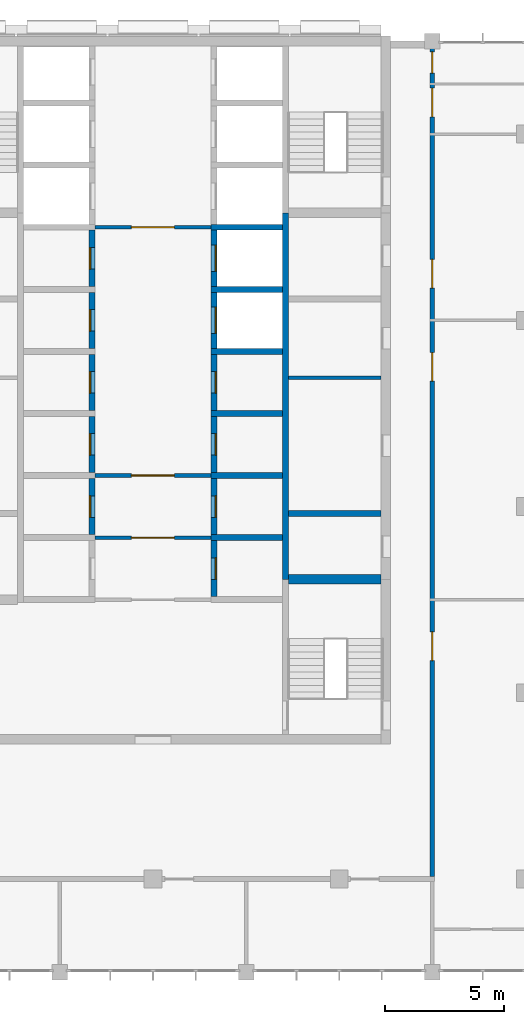
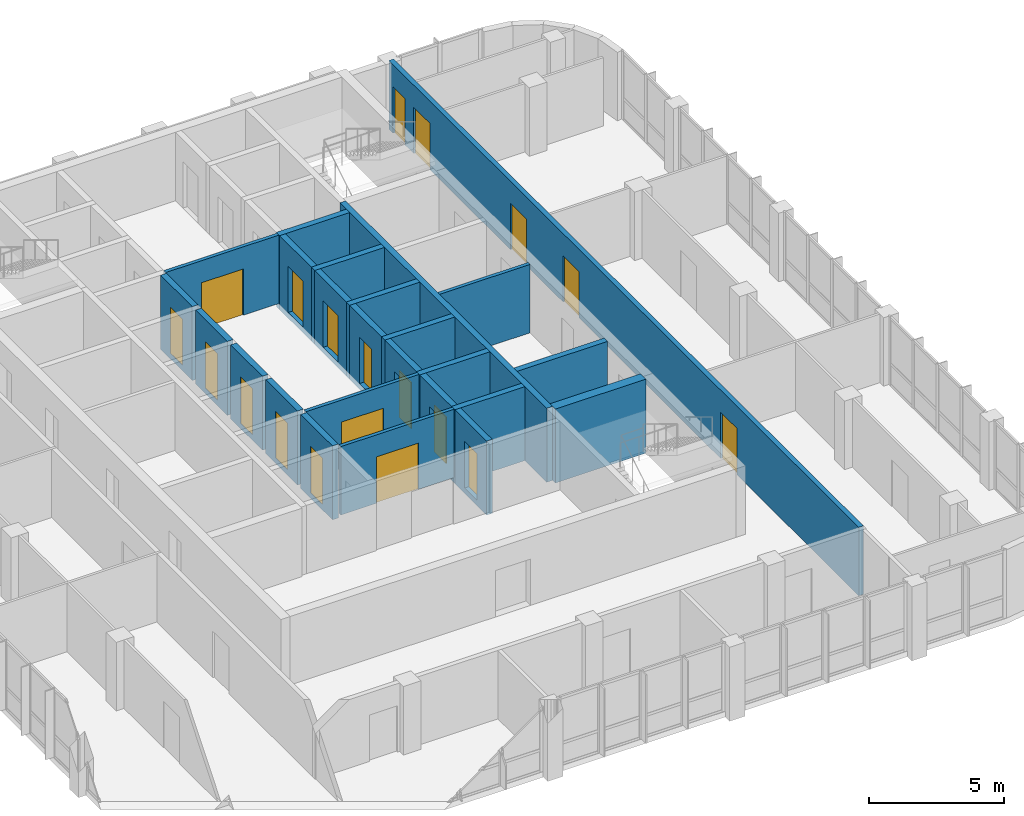
# One storey, part 10 of 17: 25 walls, 19 doors, 19 openings.
"""IFC4 building model written with IfcOpenShell, lengths in metres."""

from ifc_helpers import new_model, si_unit, direction, frame, frame_2d, origin, place, context, subcontext, project, spatial, rectangle, extrude, material, layer, layer_set, type_object, element, fill, save


model = new_model("IFC4")

# Units and contexts
model_context = context("Model", 3, precision=1e-05, world=origin(), true_north=direction((0.0, 1.0)))
body_context = subcontext(model_context, "Body", "Model", "MODEL_VIEW")
ifc_project = project(units=[si_unit("LENGTHUNIT", "METRE"), si_unit("AREAUNIT", "SQUARE_METRE"), si_unit("VOLUMEUNIT", "CUBIC_METRE"), si_unit("PLANEANGLEUNIT", "RADIAN"), si_unit("MASSUNIT", "GRAM", prefix="KILO")], contexts=[model_context])

# Site, building, storey
site_placement = place(None, origin())
site = spatial("IfcSite", under=ifc_project, at=site_placement, CompositionType="ELEMENT")
building_placement = place(site_placement, origin())
building = spatial("IfcBuilding", under=site, at=building_placement, Name="Ludao Terraces", CompositionType="ELEMENT")
storey_placement = place(building_placement, frame((0.0, 0.0, 263.0)))
storey = spatial("IfcBuildingStorey", under=building, at=storey_placement, Name="L72", CompositionType="ELEMENT", Elevation=263.0)

# Wall, opening, door
ifc_material_1 = material(Name="Fire-rated gypsum plasterboard", Category="gypsum")
ifc_layer_1 = layer(ifc_material_1, 0.012451171875, Category="gypsum")
ifc_material_2 = material(Name="Mineral wool")
ifc_layer_2 = layer(ifc_material_2, 0.10009765625, Name="insulation")
ifc_material_3 = material(Name="Steel Q235", Category="steel")
ifc_layer_3 = layer(ifc_material_3, 0.02490234375, Name="stud")
ifc_layer_4 = layer(ifc_material_1, 0.012451171875, Category="gypsum")
ifc_layer_set_1 = layer_set([ifc_layer_1, ifc_layer_2, ifc_layer_3, ifc_layer_4], Name="INT Core partition 150")
wall_type_1 = type_object("IfcWallType", Name="INT Core partition 150", PredefinedType="PARTITIONING", material=ifc_layer_set_1)
wall_1_placement = place(storey_placement, frame((82.5751953125, 63.699951171875, 0.0), z_axis=(0.0, 0.0, 1.0), x_axis=(1.0, 0.0, 0.0)))
wall_1 = element("IfcWall", 1, at=wall_1_placement, inside=storey, type_object=wall_type_1, Name="PW-L72-PW006", PredefinedType="PARTITIONING", context=body_context, shape_type="SweptSolid", body=[
    extrude(rectangle(XDim=4.849853515625, YDim=0.14990234375, at=frame_2d((2.4248046875, 0.0))), origin(), (0.0, 0.0, 1.0), 3.10009765625),
])
opening_1_placement = place(wall_1_placement, frame((1.52490234375, 0.0, 0.0)))
opening_1 = element("IfcOpeningElement", 2, at=opening_1_placement, cuts=wall_1, Name="Opening T1-019", PredefinedType="OPENING", context=body_context, shape_type="SweptSolid", body=[
    extrude(rectangle(XDim=1.800048828125, YDim=2.10009765625, at=frame_2d((0.89990234375, 1.050048828125))), frame((0.0, 0.0849609375, 0.0), z_axis=(0.0, -1.0, 0.0), x_axis=(1.0, 0.0, 0.0)), (0.0, 0.0, 1.0), 0.169921875),
])
door_type_1 = type_object("IfcDoorType", Name="INT Fire lobby door 1800", OperationType="DOUBLE_DOOR_SINGLE_SWING", PredefinedType="DOOR", material=ifc_material_3)
door_1_placement = place(opening_1_placement, origin())
door_1 = element("IfcDoor", 3, at=door_1_placement, inside=storey, type_object=door_type_1, Name="DOOR 019", OperationType="DOUBLE_DOOR_SINGLE_SWING", OverallHeight=2.10009765625, OverallWidth=1.800048828125, PredefinedType="DOOR", context=body_context, shape_type="SweptSolid", body=[
    extrude(rectangle(XDim=1.800048828125, YDim=2.10009765625, at=frame_2d((0.89990234375, 1.050048828125))), frame((0.0, 0.02490234375, 0.0), z_axis=(0.0, -1.0, 0.0), x_axis=(1.0, 0.0, 0.0)), (0.0, 0.0, 1.0), 0.050048828125),
])
fill(opening_1, door_1)

wall_2_placement = place(storey_placement, frame((82.5751953125, 66.300048828125, 0.0), z_axis=(0.0, 0.0, 1.0), x_axis=(1.0, 0.0, 0.0)))
wall_2 = element("IfcWall", 4, at=wall_2_placement, inside=storey, type_object=wall_type_1, Name="PW-L72-PW007", PredefinedType="PARTITIONING", context=body_context, shape_type="SweptSolid", body=[
    extrude(rectangle(XDim=4.849853515625, YDim=0.14990234375, at=frame_2d((2.4248046875, 0.0))), origin(), (0.0, 0.0, 1.0), 3.10009765625),
])
opening_2_placement = place(wall_2_placement, frame((1.52490234375, 0.0, 0.0)))
opening_2 = element("IfcOpeningElement", 5, at=opening_2_placement, cuts=wall_2, Name="Opening T1-022", PredefinedType="OPENING", context=body_context, shape_type="SweptSolid", body=[
    extrude(rectangle(XDim=1.800048828125, YDim=2.10009765625, at=frame_2d((0.89990234375, 1.050048828125))), frame((0.0, 0.0849609375, 0.0), z_axis=(0.0, -1.0, 0.0), x_axis=(1.0, 0.0, 0.0)), (0.0, 0.0, 1.0), 0.169921875),
])
door_2_placement = place(opening_2_placement, origin())
door_2 = element("IfcDoor", 6, at=door_2_placement, inside=storey, type_object=door_type_1, Name="DOOR 022", OperationType="DOUBLE_DOOR_SINGLE_SWING", OverallHeight=2.10009765625, OverallWidth=1.800048828125, PredefinedType="DOOR", context=body_context, shape_type="SweptSolid", body=[
    extrude(rectangle(XDim=1.800048828125, YDim=2.10009765625, at=frame_2d((0.89990234375, 1.050048828125))), frame((0.0, 0.02490234375, 0.0), z_axis=(0.0, -1.0, 0.0), x_axis=(1.0, 0.0, 0.0)), (0.0, 0.0, 1.0), 0.050048828125),
])
fill(opening_2, door_2)

# Wall
wall_3_placement = place(storey_placement, frame((90.675048828125, 70.39990234375, 0.0), z_axis=(0.0, 0.0, 1.0), x_axis=(1.0, 0.0, 0.0)))
element("IfcWall", 7, at=wall_3_placement, inside=storey, type_object=wall_type_1, Name="PW-L72-PW010", PredefinedType="PARTITIONING", context=body_context, shape_type="SweptSolid", body=[
    extrude(rectangle(XDim=3.875, YDim=0.14990234375, at=frame_2d((1.9375, 0.0))), origin(), (0.0, 0.0, 1.0), 3.10009765625),
])

# Wall, opening, door
wall_4_placement = place(storey_placement, frame((82.5751953125, 76.699951171875, 0.0), z_axis=(0.0, 0.0, 1.0), x_axis=(1.0, 0.0, 0.0)))
wall_4 = element("IfcWall", 8, at=wall_4_placement, inside=storey, type_object=wall_type_1, Name="PW-L72-PW013", PredefinedType="PARTITIONING", context=body_context, shape_type="SweptSolid", body=[
    extrude(rectangle(XDim=4.849853515625, YDim=0.14990234375, at=frame_2d((2.4248046875, 0.0))), origin(), (0.0, 0.0, 1.0), 3.10009765625),
])
opening_3_placement = place(wall_4_placement, frame((1.52490234375, 0.0, 0.0)))
opening_3 = element("IfcOpeningElement", 9, at=opening_3_placement, cuts=wall_4, Name="Opening T1-043", PredefinedType="OPENING", context=body_context, shape_type="SweptSolid", body=[
    extrude(rectangle(XDim=1.800048828125, YDim=2.10009765625, at=frame_2d((0.89990234375, 1.050048828125))), frame((0.0, 0.0849609375, 0.0), z_axis=(0.0, -1.0, 0.0), x_axis=(1.0, 0.0, 0.0)), (0.0, 0.0, 1.0), 0.169921875),
])
door_3_placement = place(opening_3_placement, origin())
door_3 = element("IfcDoor", 10, at=door_3_placement, inside=storey, type_object=door_type_1, Name="DOOR 043", OperationType="DOUBLE_DOOR_SINGLE_SWING", OverallHeight=2.10009765625, OverallWidth=1.800048828125, PredefinedType="DOOR", context=body_context, shape_type="SweptSolid", body=[
    extrude(rectangle(XDim=1.800048828125, YDim=2.10009765625, at=frame_2d((0.89990234375, 1.050048828125))), frame((0.0, 0.02490234375, 0.0), z_axis=(0.0, -1.0, 0.0), x_axis=(1.0, 0.0, 0.0)), (0.0, 0.0, 1.0), 0.050048828125),
])
fill(opening_3, door_3)

# Wall, openings, doors
ifc_material_4 = material(Name="Autoclaved aerated concrete block B06 A3.5", Category="concrete")
ifc_layer_5 = layer(ifc_material_4, 0.199951171875)
ifc_layer_set_2 = layer_set([ifc_layer_5], Name="INT Entrance wall 200")
wall_type_2 = type_object("IfcWallType", Name="INT Entrance wall 200", PredefinedType="PARTITIONING", material=ifc_layer_set_2)
wall_5_placement = place(storey_placement, frame((96.699951171875, 49.5, 0.0), z_axis=(0.0, 0.0, 1.0), x_axis=(0.0, 1.0, 0.0)))
wall_5 = element("IfcWall", 11, at=wall_5_placement, inside=storey, type_object=wall_type_2, Name="PW-L72-PW024", PredefinedType="PARTITIONING", context=body_context, shape_type="SweptSolid", body=[
    extrude(rectangle(XDim=34.864990234375, YDim=0.199951171875, at=frame_2d((17.4326171875, 0.0))), origin(), (0.0, 0.0, 1.0), 3.10009765625),
])
opening_4_placement = place(wall_5_placement, frame((9.050048828125, 0.0, 0.0)))
opening_4 = element("IfcOpeningElement", 12, at=opening_4_placement, cuts=wall_5, Name="Opening T1-012", PredefinedType="OPENING", context=body_context, shape_type="SweptSolid", body=[
    extrude(rectangle(XDim=1.199951171875, YDim=2.10009765625, at=frame_2d((0.60009765625, 1.050048828125))), frame((0.0, 0.10986328125, 0.0), z_axis=(0.0, -1.0, 0.0), x_axis=(1.0, 0.0, 0.0)), (0.0, 0.0, 1.0), 0.219970703125),
])
opening_5_placement = place(wall_5_placement, frame((20.75, 0.0, 0.0)))
opening_5 = element("IfcOpeningElement", 13, at=opening_5_placement, cuts=wall_5, Name="Opening T1-032", PredefinedType="OPENING", context=body_context, shape_type="SweptSolid", body=[
    extrude(rectangle(XDim=1.199951171875, YDim=2.10009765625, at=frame_2d((0.60009765625, 1.050048828125))), frame((0.0, 0.10986328125, 0.0), z_axis=(0.0, -1.0, 0.0), x_axis=(1.0, 0.0, 0.0)), (0.0, 0.0, 1.0), 0.219970703125),
])
opening_6_placement = place(wall_5_placement, frame((24.650146484375, 0.0, 0.0)))
opening_6 = element("IfcOpeningElement", 14, at=opening_6_placement, cuts=wall_5, Name="Opening T1-038", PredefinedType="OPENING", context=body_context, shape_type="SweptSolid", body=[
    extrude(rectangle(XDim=1.199951171875, YDim=2.10009765625, at=frame_2d((0.60009765625, 1.050048828125))), frame((0.0, 0.10986328125, 0.0), z_axis=(0.0, -1.0, 0.0), x_axis=(1.0, 0.0, 0.0)), (0.0, 0.0, 1.0), 0.219970703125),
])
opening_7_placement = place(wall_5_placement, frame((31.8251953125, 0.0, 0.0)))
opening_7 = element("IfcOpeningElement", 15, at=opening_7_placement, cuts=wall_5, Name="Opening T1-052", PredefinedType="OPENING", context=body_context, shape_type="SweptSolid", body=[
    extrude(rectangle(XDim=1.199951171875, YDim=2.10009765625, at=frame_2d((0.60009765625, 1.050048828125))), frame((0.0, 0.10986328125, 0.0), z_axis=(0.0, -1.0, 0.0), x_axis=(1.0, 0.0, 0.0)), (0.0, 0.0, 1.0), 0.219970703125),
])
opening_8_placement = place(wall_5_placement, frame((33.650146484375, 0.0, 0.0)))
opening_8 = element("IfcOpeningElement", 16, at=opening_8_placement, cuts=wall_5, Name="Opening T1-056", PredefinedType="OPENING", context=body_context, shape_type="SweptSolid", body=[
    extrude(rectangle(XDim=0.89990234375, YDim=2.10009765625, at=frame_2d((0.449951171875, 1.050048828125))), frame((0.0, 0.10986328125, 0.0), z_axis=(0.0, -1.0, 0.0), x_axis=(1.0, 0.0, 0.0)), (0.0, 0.0, 1.0), 0.219970703125),
])
ifc_material_5 = material(Name="Timber door leaf", Category="wood")
door_type_2 = type_object("IfcDoorType", Name="INT Double door 1200", OperationType="DOUBLE_DOOR_SINGLE_SWING", PredefinedType="DOOR", material=ifc_material_5)
door_4_placement = place(opening_4_placement, origin())
door_4 = element("IfcDoor", 17, at=door_4_placement, inside=storey, type_object=door_type_2, Name="DOOR 012", OperationType="DOUBLE_DOOR_SINGLE_SWING", OverallHeight=2.10009765625, OverallWidth=1.199951171875, PredefinedType="DOOR", context=body_context, shape_type="SweptSolid", body=[
    extrude(rectangle(XDim=1.199951171875, YDim=2.10009765625, at=frame_2d((0.60009765625, 1.050048828125))), frame((0.0, 0.02490234375, 0.0), z_axis=(0.0, -1.0, 0.0), x_axis=(1.0, 0.0, 0.0)), (0.0, 0.0, 1.0), 0.050048828125),
])
fill(opening_4, door_4)
door_5_placement = place(opening_5_placement, origin())
door_5 = element("IfcDoor", 18, at=door_5_placement, inside=storey, type_object=door_type_2, Name="DOOR 032", OperationType="DOUBLE_DOOR_SINGLE_SWING", OverallHeight=2.10009765625, OverallWidth=1.199951171875, PredefinedType="DOOR", context=body_context, shape_type="SweptSolid", body=[
    extrude(rectangle(XDim=1.199951171875, YDim=2.10009765625, at=frame_2d((0.60009765625, 1.050048828125))), frame((0.0, 0.02490234375, 0.0), z_axis=(0.0, -1.0, 0.0), x_axis=(1.0, 0.0, 0.0)), (0.0, 0.0, 1.0), 0.050048828125),
])
fill(opening_5, door_5)
door_6_placement = place(opening_6_placement, origin())
door_6 = element("IfcDoor", 19, at=door_6_placement, inside=storey, type_object=door_type_2, Name="DOOR 038", OperationType="DOUBLE_DOOR_SINGLE_SWING", OverallHeight=2.10009765625, OverallWidth=1.199951171875, PredefinedType="DOOR", context=body_context, shape_type="SweptSolid", body=[
    extrude(rectangle(XDim=1.199951171875, YDim=2.10009765625, at=frame_2d((0.60009765625, 1.050048828125))), frame((0.0, 0.02490234375, 0.0), z_axis=(0.0, -1.0, 0.0), x_axis=(1.0, 0.0, 0.0)), (0.0, 0.0, 1.0), 0.050048828125),
])
fill(opening_6, door_6)
door_7_placement = place(opening_7_placement, origin())
door_7 = element("IfcDoor", 20, at=door_7_placement, inside=storey, type_object=door_type_2, Name="DOOR 052", OperationType="DOUBLE_DOOR_SINGLE_SWING", OverallHeight=2.10009765625, OverallWidth=1.199951171875, PredefinedType="DOOR", context=body_context, shape_type="SweptSolid", body=[
    extrude(rectangle(XDim=1.199951171875, YDim=2.10009765625, at=frame_2d((0.60009765625, 1.050048828125))), frame((0.0, 0.02490234375, 0.0), z_axis=(0.0, -1.0, 0.0), x_axis=(1.0, 0.0, 0.0)), (0.0, 0.0, 1.0), 0.050048828125),
])
fill(opening_7, door_7)
door_type_3 = type_object("IfcDoorType", Name="INT Room door 900", OperationType="SINGLE_SWING_LEFT", PredefinedType="DOOR", material=ifc_material_5)
door_8_placement = place(opening_8_placement, origin())
door_8 = element("IfcDoor", 21, at=door_8_placement, inside=storey, type_object=door_type_3, Name="DOOR 056", OperationType="SINGLE_SWING_RIGHT", OverallHeight=2.10009765625, OverallWidth=0.89990234375, PredefinedType="DOOR", context=body_context, shape_type="SweptSolid", body=[
    extrude(rectangle(XDim=0.89990234375, YDim=2.10009765625, at=frame_2d((0.449951171875, 1.050048828125))), frame((0.0, 0.02490234375, 0.0), z_axis=(0.0, -1.0, 0.0), x_axis=(1.0, 0.0, 0.0)), (0.0, 0.0, 1.0), 0.050048828125),
])
fill(opening_8, door_8)

# Wall
ifc_material_6 = material(Name="Concrete C50", Category="concrete")
ifc_layer_6 = layer(ifc_material_6, 0.25)
ifc_layer_set_3 = layer_set([ifc_layer_6], Name="Shaft wall 250 C50")
wall_type_3 = type_object("IfcWallType", Name="Shaft wall 250 C50", PredefinedType="SOLIDWALL", material=ifc_layer_set_3)
wall_6_placement = place(storey_placement, frame((90.550048828125, 61.949951171875, -0.25), z_axis=(0.0, 0.0, 1.0), x_axis=(0.0, 1.0, 0.0)))
element("IfcWall", 22, at=wall_6_placement, inside=storey, type_object=wall_type_3, Name="Core wall L72 back-E", PredefinedType="SOLIDWALL", context=body_context, shape_type="SweptSolid", body=[
    extrude(rectangle(XDim=15.35009765625, YDim=0.25, at=frame_2d((7.675048828125, 0.0))), origin(), (0.0, 0.0, 1.0), 3.35009765625),
])

# Wall, opening, door
wall_7_placement = place(storey_placement, frame((82.449951171875, 63.824951171875, -0.25), z_axis=(0.0, 0.0, 1.0), x_axis=(0.0, 1.0, 0.0)))
wall_7 = element("IfcWall", 23, at=wall_7_placement, inside=storey, type_object=wall_type_3, Name="Core wall L72 front-W2", PredefinedType="SOLIDWALL", context=body_context, shape_type="SweptSolid", body=[
    extrude(rectangle(XDim=2.35009765625, YDim=0.25, at=frame_2d((1.175048828125, 0.0))), origin(), (0.0, 0.0, 1.0), 3.35009765625),
])
opening_9_placement = place(wall_7_placement, frame((0.72509765625, 0.0, 0.25)))
opening_9 = element("IfcOpeningElement", 24, at=opening_9_placement, cuts=wall_7, Name="Opening T1-020", PredefinedType="OPENING", context=body_context, shape_type="SweptSolid", body=[
    extrude(rectangle(XDim=0.89990234375, YDim=2.10009765625, at=frame_2d((0.449951171875, 1.050048828125))), frame((0.0, 0.135009765625, 0.0), z_axis=(0.0, -1.0, 0.0), x_axis=(1.0, 0.0, 0.0)), (0.0, 0.0, 1.0), 0.27001953125),
])
door_9_placement = place(opening_9_placement, origin())
door_9 = element("IfcDoor", 25, at=door_9_placement, inside=storey, type_object=door_type_3, Name="DOOR 020", OperationType="SINGLE_SWING_LEFT", OverallHeight=2.10009765625, OverallWidth=0.89990234375, PredefinedType="DOOR", context=body_context, shape_type="SweptSolid", body=[
    extrude(rectangle(XDim=0.89990234375, YDim=2.10009765625, at=frame_2d((0.449951171875, 1.050048828125))), frame((0.0, 0.10986328125, 0.0), z_axis=(0.0, -1.0, 0.0), x_axis=(1.0, 0.0, 0.0)), (0.0, 0.0, 1.0), 0.050048828125),
])
fill(opening_9, door_9)

wall_8_placement = place(storey_placement, frame((82.449951171875, 66.425048828125, -0.25), z_axis=(0.0, 0.0, 1.0), x_axis=(0.0, 1.0, 0.0)))
wall_8 = element("IfcWall", 26, at=wall_8_placement, inside=storey, type_object=wall_type_3, Name="Core wall L72 front-W3", PredefinedType="SOLIDWALL", context=body_context, shape_type="SweptSolid", body=[
    extrude(rectangle(XDim=2.349853515625, YDim=0.25, at=frame_2d((1.1748046875, 0.0))), origin(), (0.0, 0.0, 1.0), 3.35009765625),
])
opening_10_placement = place(wall_8_placement, frame((0.72509765625, 0.0, 0.25)))
opening_10 = element("IfcOpeningElement", 27, at=opening_10_placement, cuts=wall_8, Name="Opening T1-025", PredefinedType="OPENING", context=body_context, shape_type="SweptSolid", body=[
    extrude(rectangle(XDim=0.89990234375, YDim=2.10009765625, at=frame_2d((0.449951171875, 1.050048828125))), frame((0.0, 0.135009765625, 0.0), z_axis=(0.0, -1.0, 0.0), x_axis=(1.0, 0.0, 0.0)), (0.0, 0.0, 1.0), 0.27001953125),
])
door_10_placement = place(opening_10_placement, origin())
door_10 = element("IfcDoor", 28, at=door_10_placement, inside=storey, type_object=door_type_3, Name="DOOR 025", OperationType="SINGLE_SWING_RIGHT", OverallHeight=2.10009765625, OverallWidth=0.89990234375, PredefinedType="DOOR", context=body_context, shape_type="SweptSolid", body=[
    extrude(rectangle(XDim=0.89990234375, YDim=2.10009765625, at=frame_2d((0.449951171875, 1.050048828125))), frame((0.0, 0.10986328125, 0.0), z_axis=(0.0, -1.0, 0.0), x_axis=(1.0, 0.0, 0.0)), (0.0, 0.0, 1.0), 0.050048828125),
])
fill(opening_10, door_10)

wall_9_placement = place(storey_placement, frame((82.449951171875, 69.02490234375, -0.25), z_axis=(0.0, 0.0, 1.0), x_axis=(0.0, 1.0, 0.0)))
wall_9 = element("IfcWall", 29, at=wall_9_placement, inside=storey, type_object=wall_type_3, Name="Core wall L72 front-W4", PredefinedType="SOLIDWALL", context=body_context, shape_type="SweptSolid", body=[
    extrude(rectangle(XDim=2.35009765625, YDim=0.25, at=frame_2d((1.175048828125, 0.0))), origin(), (0.0, 0.0, 1.0), 3.35009765625),
])
opening_11_placement = place(wall_9_placement, frame((0.72509765625, 0.0, 0.25)))
opening_11 = element("IfcOpeningElement", 30, at=opening_11_placement, cuts=wall_9, Name="Opening T1-030", PredefinedType="OPENING", context=body_context, shape_type="SweptSolid", body=[
    extrude(rectangle(XDim=0.89990234375, YDim=2.10009765625, at=frame_2d((0.449951171875, 1.050048828125))), frame((0.0, 0.135009765625, 0.0), z_axis=(0.0, -1.0, 0.0), x_axis=(1.0, 0.0, 0.0)), (0.0, 0.0, 1.0), 0.27001953125),
])
door_11_placement = place(opening_11_placement, origin())
door_11 = element("IfcDoor", 31, at=door_11_placement, inside=storey, type_object=door_type_3, Name="DOOR 030", OperationType="SINGLE_SWING_LEFT", OverallHeight=2.10009765625, OverallWidth=0.89990234375, PredefinedType="DOOR", context=body_context, shape_type="SweptSolid", body=[
    extrude(rectangle(XDim=0.89990234375, YDim=2.10009765625, at=frame_2d((0.449951171875, 1.050048828125))), frame((0.0, 0.10986328125, 0.0), z_axis=(0.0, -1.0, 0.0), x_axis=(1.0, 0.0, 0.0)), (0.0, 0.0, 1.0), 0.050048828125),
])
fill(opening_11, door_11)

wall_10_placement = place(storey_placement, frame((82.449951171875, 71.625, -0.25), z_axis=(0.0, 0.0, 1.0), x_axis=(0.0, 1.0, 0.0)))
wall_10 = element("IfcWall", 32, at=wall_10_placement, inside=storey, type_object=wall_type_3, Name="Core wall L72 front-W5", PredefinedType="SOLIDWALL", context=body_context, shape_type="SweptSolid", body=[
    extrude(rectangle(XDim=2.35009765625, YDim=0.25, at=frame_2d((1.175048828125, 0.0))), origin(), (0.0, 0.0, 1.0), 3.35009765625),
])
opening_12_placement = place(wall_10_placement, frame((0.72509765625, 0.0, 0.25)))
opening_12 = element("IfcOpeningElement", 33, at=opening_12_placement, cuts=wall_10, Name="Opening T1-035", PredefinedType="OPENING", context=body_context, shape_type="SweptSolid", body=[
    extrude(rectangle(XDim=0.89990234375, YDim=2.10009765625, at=frame_2d((0.449951171875, 1.050048828125))), frame((0.0, 0.135009765625, 0.0), z_axis=(0.0, -1.0, 0.0), x_axis=(1.0, 0.0, 0.0)), (0.0, 0.0, 1.0), 0.27001953125),
])
door_12_placement = place(opening_12_placement, origin())
door_12 = element("IfcDoor", 34, at=door_12_placement, inside=storey, type_object=door_type_3, Name="DOOR 035", OperationType="SINGLE_SWING_RIGHT", OverallHeight=2.10009765625, OverallWidth=0.89990234375, PredefinedType="DOOR", context=body_context, shape_type="SweptSolid", body=[
    extrude(rectangle(XDim=0.89990234375, YDim=2.10009765625, at=frame_2d((0.449951171875, 1.050048828125))), frame((0.0, 0.10986328125, 0.0), z_axis=(0.0, -1.0, 0.0), x_axis=(1.0, 0.0, 0.0)), (0.0, 0.0, 1.0), 0.050048828125),
])
fill(opening_12, door_12)

wall_11_placement = place(storey_placement, frame((82.449951171875, 74.22509765625, -0.25), z_axis=(0.0, 0.0, 1.0), x_axis=(0.0, 1.0, 0.0)))
wall_11 = element("IfcWall", 35, at=wall_11_placement, inside=storey, type_object=wall_type_3, Name="Core wall L72 front-W6", PredefinedType="SOLIDWALL", context=body_context, shape_type="SweptSolid", body=[
    extrude(rectangle(XDim=2.349853515625, YDim=0.25, at=frame_2d((1.1748046875, 0.0))), origin(), (0.0, 0.0, 1.0), 3.35009765625),
])
opening_13_placement = place(wall_11_placement, frame((0.72509765625, 0.0, 0.25)))
opening_13 = element("IfcOpeningElement", 36, at=opening_13_placement, cuts=wall_11, Name="Opening T1-039", PredefinedType="OPENING", context=body_context, shape_type="SweptSolid", body=[
    extrude(rectangle(XDim=0.89990234375, YDim=2.10009765625, at=frame_2d((0.449951171875, 1.050048828125))), frame((0.0, 0.135009765625, 0.0), z_axis=(0.0, -1.0, 0.0), x_axis=(1.0, 0.0, 0.0)), (0.0, 0.0, 1.0), 0.27001953125),
])
door_13_placement = place(opening_13_placement, origin())
door_13 = element("IfcDoor", 37, at=door_13_placement, inside=storey, type_object=door_type_3, Name="DOOR 039", OperationType="SINGLE_SWING_LEFT", OverallHeight=2.10009765625, OverallWidth=0.89990234375, PredefinedType="DOOR", context=body_context, shape_type="SweptSolid", body=[
    extrude(rectangle(XDim=0.89990234375, YDim=2.10009765625, at=frame_2d((0.449951171875, 1.050048828125))), frame((0.0, 0.10986328125, 0.0), z_axis=(0.0, -1.0, 0.0), x_axis=(1.0, 0.0, 0.0)), (0.0, 0.0, 1.0), 0.050048828125),
])
fill(opening_13, door_13)

wall_12_placement = place(storey_placement, frame((87.550048828125, 61.22509765625, -0.25), z_axis=(0.0, 0.0, 1.0), x_axis=(0.0, 1.0, 0.0)))
wall_12 = element("IfcWall", 38, at=wall_12_placement, inside=storey, type_object=wall_type_3, Name="Core wall L72 front-E1", PredefinedType="SOLIDWALL", context=body_context, shape_type="SweptSolid", body=[
    extrude(rectangle(XDim=2.349853515625, YDim=0.25, at=frame_2d((1.1748046875, 0.0))), origin(), (0.0, 0.0, 1.0), 3.35009765625),
])
opening_14_placement = place(wall_12_placement, frame((0.72509765625, 0.0, 0.25)))
opening_14 = element("IfcOpeningElement", 39, at=opening_14_placement, cuts=wall_12, Name="Opening T1-015", PredefinedType="OPENING", context=body_context, shape_type="SweptSolid", body=[
    extrude(rectangle(XDim=0.89990234375, YDim=2.10009765625, at=frame_2d((0.449951171875, 1.050048828125))), frame((0.0, 0.135009765625, 0.0), z_axis=(0.0, -1.0, 0.0), x_axis=(1.0, 0.0, 0.0)), (0.0, 0.0, 1.0), 0.27001953125),
])
door_14_placement = place(opening_14_placement, origin())
door_14 = element("IfcDoor", 40, at=door_14_placement, inside=storey, type_object=door_type_3, Name="DOOR 015", OperationType="SINGLE_SWING_RIGHT", OverallHeight=2.10009765625, OverallWidth=0.89990234375, PredefinedType="DOOR", context=body_context, shape_type="SweptSolid", body=[
    extrude(rectangle(XDim=0.89990234375, YDim=2.10009765625, at=frame_2d((0.449951171875, 1.050048828125))), frame((0.0, -0.06005859375, 0.0), z_axis=(0.0, -1.0, 0.0), x_axis=(1.0, 0.0, 0.0)), (0.0, 0.0, 1.0), 0.050048828125),
])
fill(opening_14, door_14)

# Wall
wall_13_placement = place(storey_placement, frame((87.425048828125, 63.699951171875, -0.25), z_axis=(0.0, 0.0, 1.0), x_axis=(1.0, 0.0, 0.0)))
element("IfcWall", 41, at=wall_13_placement, inside=storey, type_object=wall_type_3, Name="Core wall L72 div-E2", PredefinedType="SOLIDWALL", context=body_context, shape_type="SweptSolid", body=[
    extrude(rectangle(XDim=3.0, YDim=0.25, at=frame_2d((1.5, 0.0))), origin(), (0.0, 0.0, 1.0), 3.35009765625),
])

# Wall, opening, door
wall_14_placement = place(storey_placement, frame((87.550048828125, 63.824951171875, -0.25), z_axis=(0.0, 0.0, 1.0), x_axis=(0.0, 1.0, 0.0)))
wall_14 = element("IfcWall", 42, at=wall_14_placement, inside=storey, type_object=wall_type_3, Name="Core wall L72 front-E2", PredefinedType="SOLIDWALL", context=body_context, shape_type="SweptSolid", body=[
    extrude(rectangle(XDim=2.35009765625, YDim=0.25, at=frame_2d((1.175048828125, 0.0))), origin(), (0.0, 0.0, 1.0), 3.35009765625),
])
opening_15_placement = place(wall_14_placement, frame((0.72509765625, 0.0, 0.25)))
opening_15 = element("IfcOpeningElement", 43, at=opening_15_placement, cuts=wall_14, Name="Opening T1-021", PredefinedType="OPENING", context=body_context, shape_type="SweptSolid", body=[
    extrude(rectangle(XDim=0.89990234375, YDim=2.10009765625, at=frame_2d((0.449951171875, 1.050048828125))), frame((0.0, 0.135009765625, 0.0), z_axis=(0.0, -1.0, 0.0), x_axis=(1.0, 0.0, 0.0)), (0.0, 0.0, 1.0), 0.27001953125),
])
door_15_placement = place(opening_15_placement, origin())
door_15 = element("IfcDoor", 44, at=door_15_placement, inside=storey, type_object=door_type_3, Name="DOOR 021", OperationType="SINGLE_SWING_RIGHT", OverallHeight=2.10009765625, OverallWidth=0.89990234375, PredefinedType="DOOR", context=body_context, shape_type="SweptSolid", body=[
    extrude(rectangle(XDim=0.89990234375, YDim=2.10009765625, at=frame_2d((0.449951171875, 1.050048828125))), frame((0.0, -0.06005859375, 0.0), z_axis=(0.0, -1.0, 0.0), x_axis=(1.0, 0.0, 0.0)), (0.0, 0.0, 1.0), 0.050048828125),
])
fill(opening_15, door_15)

# Wall
wall_15_placement = place(storey_placement, frame((87.425048828125, 66.300048828125, -0.25), z_axis=(0.0, 0.0, 1.0), x_axis=(1.0, 0.0, 0.0)))
element("IfcWall", 45, at=wall_15_placement, inside=storey, type_object=wall_type_3, Name="Core wall L72 div-E3", PredefinedType="SOLIDWALL", context=body_context, shape_type="SweptSolid", body=[
    extrude(rectangle(XDim=3.0, YDim=0.25, at=frame_2d((1.5, 0.0))), origin(), (0.0, 0.0, 1.0), 3.35009765625),
])

# Wall, opening, door
wall_16_placement = place(storey_placement, frame((87.550048828125, 66.425048828125, -0.25), z_axis=(0.0, 0.0, 1.0), x_axis=(0.0, 1.0, 0.0)))
wall_16 = element("IfcWall", 46, at=wall_16_placement, inside=storey, type_object=wall_type_3, Name="Core wall L72 front-E3", PredefinedType="SOLIDWALL", context=body_context, shape_type="SweptSolid", body=[
    extrude(rectangle(XDim=2.349853515625, YDim=0.25, at=frame_2d((1.1748046875, 0.0))), origin(), (0.0, 0.0, 1.0), 3.35009765625),
])
opening_16_placement = place(wall_16_placement, frame((0.72509765625, 0.0, 0.25)))
opening_16 = element("IfcOpeningElement", 47, at=opening_16_placement, cuts=wall_16, Name="Opening T1-026", PredefinedType="OPENING", context=body_context, shape_type="SweptSolid", body=[
    extrude(rectangle(XDim=0.89990234375, YDim=2.10009765625, at=frame_2d((0.449951171875, 1.050048828125))), frame((0.0, 0.135009765625, 0.0), z_axis=(0.0, -1.0, 0.0), x_axis=(1.0, 0.0, 0.0)), (0.0, 0.0, 1.0), 0.27001953125),
])
door_16_placement = place(opening_16_placement, origin())
door_16 = element("IfcDoor", 48, at=door_16_placement, inside=storey, type_object=door_type_3, Name="DOOR 026", OperationType="SINGLE_SWING_LEFT", OverallHeight=2.10009765625, OverallWidth=0.89990234375, PredefinedType="DOOR", context=body_context, shape_type="SweptSolid", body=[
    extrude(rectangle(XDim=0.89990234375, YDim=2.10009765625, at=frame_2d((0.449951171875, 1.050048828125))), frame((0.0, -0.06005859375, 0.0), z_axis=(0.0, -1.0, 0.0), x_axis=(1.0, 0.0, 0.0)), (0.0, 0.0, 1.0), 0.050048828125),
])
fill(opening_16, door_16)

# Wall
wall_17_placement = place(storey_placement, frame((87.425048828125, 68.89990234375, -0.25), z_axis=(0.0, 0.0, 1.0), x_axis=(1.0, 0.0, 0.0)))
element("IfcWall", 49, at=wall_17_placement, inside=storey, type_object=wall_type_3, Name="Core wall L72 div-E4", PredefinedType="SOLIDWALL", context=body_context, shape_type="SweptSolid", body=[
    extrude(rectangle(XDim=3.0, YDim=0.25, at=frame_2d((1.5, 0.0))), origin(), (0.0, 0.0, 1.0), 3.35009765625),
])

# Wall, opening, door
wall_18_placement = place(storey_placement, frame((87.550048828125, 69.02490234375, -0.25), z_axis=(0.0, 0.0, 1.0), x_axis=(0.0, 1.0, 0.0)))
wall_18 = element("IfcWall", 50, at=wall_18_placement, inside=storey, type_object=wall_type_3, Name="Core wall L72 front-E4", PredefinedType="SOLIDWALL", context=body_context, shape_type="SweptSolid", body=[
    extrude(rectangle(XDim=2.35009765625, YDim=0.25, at=frame_2d((1.175048828125, 0.0))), origin(), (0.0, 0.0, 1.0), 3.35009765625),
])
opening_17_placement = place(wall_18_placement, frame((0.72509765625, 0.0, 0.25)))
opening_17 = element("IfcOpeningElement", 51, at=opening_17_placement, cuts=wall_18, Name="Opening T1-031", PredefinedType="OPENING", context=body_context, shape_type="SweptSolid", body=[
    extrude(rectangle(XDim=0.89990234375, YDim=2.10009765625, at=frame_2d((0.449951171875, 1.050048828125))), frame((0.0, 0.135009765625, 0.0), z_axis=(0.0, -1.0, 0.0), x_axis=(1.0, 0.0, 0.0)), (0.0, 0.0, 1.0), 0.27001953125),
])
door_17_placement = place(opening_17_placement, origin())
door_17 = element("IfcDoor", 52, at=door_17_placement, inside=storey, type_object=door_type_3, Name="DOOR 031", OperationType="SINGLE_SWING_RIGHT", OverallHeight=2.10009765625, OverallWidth=0.89990234375, PredefinedType="DOOR", context=body_context, shape_type="SweptSolid", body=[
    extrude(rectangle(XDim=0.89990234375, YDim=2.10009765625, at=frame_2d((0.449951171875, 1.050048828125))), frame((0.0, -0.06005859375, 0.0), z_axis=(0.0, -1.0, 0.0), x_axis=(1.0, 0.0, 0.0)), (0.0, 0.0, 1.0), 0.050048828125),
])
fill(opening_17, door_17)

# Wall
wall_19_placement = place(storey_placement, frame((87.425048828125, 71.5, -0.25), z_axis=(0.0, 0.0, 1.0), x_axis=(1.0, 0.0, 0.0)))
element("IfcWall", 53, at=wall_19_placement, inside=storey, type_object=wall_type_3, Name="Core wall L72 div-E5", PredefinedType="SOLIDWALL", context=body_context, shape_type="SweptSolid", body=[
    extrude(rectangle(XDim=3.0, YDim=0.25, at=frame_2d((1.5, 0.0))), origin(), (0.0, 0.0, 1.0), 3.35009765625),
])

# Wall, opening, door
wall_20_placement = place(storey_placement, frame((87.550048828125, 71.625, -0.25), z_axis=(0.0, 0.0, 1.0), x_axis=(0.0, 1.0, 0.0)))
wall_20 = element("IfcWall", 54, at=wall_20_placement, inside=storey, type_object=wall_type_3, Name="Core wall L72 front-E5", PredefinedType="SOLIDWALL", context=body_context, shape_type="SweptSolid", body=[
    extrude(rectangle(XDim=2.35009765625, YDim=0.25, at=frame_2d((1.175048828125, 0.0))), origin(), (0.0, 0.0, 1.0), 3.35009765625),
])
opening_18_placement = place(wall_20_placement, frame((0.625, 0.0, 0.25)))
opening_18 = element("IfcOpeningElement", 55, at=opening_18_placement, cuts=wall_20, Name="Opening LD-LB1", PredefinedType="OPENING", context=body_context, shape_type="SweptSolid", body=[
    extrude(rectangle(XDim=1.10009765625, YDim=2.10009765625, at=frame_2d((0.550048828125, 1.050048828125))), frame((0.0, 0.135009765625, 0.0), z_axis=(0.0, -1.0, 0.0), x_axis=(1.0, 0.0, 0.0)), (0.0, 0.0, 1.0), 0.27001953125),
])
ifc_material_7 = material(Name="Stainless steel 304", Category="steel")
door_type_4 = type_object("IfcDoorType", Name="INT Lift landing door 1100", OperationType="SLIDING_TO_LEFT", PredefinedType="DOOR", material=ifc_material_7)
door_18_placement = place(opening_18_placement, origin())
door_18 = element("IfcDoor", 56, at=door_18_placement, inside=storey, type_object=door_type_4, Name="LANDING DOOR LB1 L72", OperationType="SLIDING_TO_LEFT", OverallHeight=2.10009765625, OverallWidth=1.10009765625, PredefinedType="DOOR", context=body_context, shape_type="SweptSolid", body=[
    extrude(rectangle(XDim=1.10009765625, YDim=2.10009765625, at=frame_2d((0.550048828125, 1.050048828125))), frame((0.0, -0.06005859375, 0.0), z_axis=(0.0, -1.0, 0.0), x_axis=(1.0, 0.0, 0.0)), (0.0, 0.0, 1.0), 0.050048828125),
])
fill(opening_18, door_18)

# Wall
wall_21_placement = place(storey_placement, frame((87.425048828125, 74.10009765625, -0.25), z_axis=(0.0, 0.0, 1.0), x_axis=(1.0, 0.0, 0.0)))
element("IfcWall", 57, at=wall_21_placement, inside=storey, type_object=wall_type_3, Name="Core wall L72 div-E6", PredefinedType="SOLIDWALL", context=body_context, shape_type="SweptSolid", body=[
    extrude(rectangle(XDim=3.0, YDim=0.25, at=frame_2d((1.5, 0.0))), origin(), (0.0, 0.0, 1.0), 3.35009765625),
])

# Wall, opening, door
wall_22_placement = place(storey_placement, frame((87.550048828125, 74.22509765625, -0.25), z_axis=(0.0, 0.0, 1.0), x_axis=(0.0, 1.0, 0.0)))
wall_22 = element("IfcWall", 58, at=wall_22_placement, inside=storey, type_object=wall_type_3, Name="Core wall L72 front-E6", PredefinedType="SOLIDWALL", context=body_context, shape_type="SweptSolid", body=[
    extrude(rectangle(XDim=2.349853515625, YDim=0.25, at=frame_2d((1.1748046875, 0.0))), origin(), (0.0, 0.0, 1.0), 3.35009765625),
])
opening_19_placement = place(wall_22_placement, frame((0.625, 0.0, 0.25)))
opening_19 = element("IfcOpeningElement", 59, at=opening_19_placement, cuts=wall_22, Name="Opening LD-LB2", PredefinedType="OPENING", context=body_context, shape_type="SweptSolid", body=[
    extrude(rectangle(XDim=1.10009765625, YDim=2.10009765625, at=frame_2d((0.550048828125, 1.050048828125))), frame((0.0, 0.135009765625, 0.0), z_axis=(0.0, -1.0, 0.0), x_axis=(1.0, 0.0, 0.0)), (0.0, 0.0, 1.0), 0.27001953125),
])
door_19_placement = place(opening_19_placement, origin())
door_19 = element("IfcDoor", 60, at=door_19_placement, inside=storey, type_object=door_type_4, Name="LANDING DOOR LB2 L72", OperationType="SLIDING_TO_LEFT", OverallHeight=2.10009765625, OverallWidth=1.10009765625, PredefinedType="DOOR", context=body_context, shape_type="SweptSolid", body=[
    extrude(rectangle(XDim=1.10009765625, YDim=2.10009765625, at=frame_2d((0.550048828125, 1.050048828125))), frame((0.0, -0.06005859375, 0.0), z_axis=(0.0, -1.0, 0.0), x_axis=(1.0, 0.0, 0.0)), (0.0, 0.0, 1.0), 0.050048828125),
])
fill(opening_19, door_19)

# Walls
wall_23_placement = place(storey_placement, frame((87.425048828125, 76.699951171875, -0.25), z_axis=(0.0, 0.0, 1.0), x_axis=(1.0, 0.0, 0.0)))
element("IfcWall", 61, at=wall_23_placement, inside=storey, type_object=wall_type_3, Name="Core wall L72 div-E7", PredefinedType="SOLIDWALL", context=body_context, shape_type="SweptSolid", body=[
    extrude(rectangle(XDim=3.0, YDim=0.25, at=frame_2d((1.5, 0.0))), origin(), (0.0, 0.0, 1.0), 3.35009765625),
])
wall_24_placement = place(storey_placement, frame((90.675048828125, 64.699951171875, -0.25), z_axis=(0.0, 0.0, 1.0), x_axis=(1.0, 0.0, 0.0)))
element("IfcWall", 62, at=wall_24_placement, inside=storey, type_object=wall_type_3, Name="Core wall L72 riser-a-E", PredefinedType="SOLIDWALL", context=body_context, shape_type="SweptSolid", body=[
    extrude(rectangle(XDim=3.875, YDim=0.25, at=frame_2d((1.9375, 0.0))), origin(), (0.0, 0.0, 1.0), 3.35009765625),
])
ifc_layer_7 = layer(ifc_material_6, 0.39990234375)
ifc_layer_set_4 = layer_set([ifc_layer_7], Name="Shaft wall 400 C50")
wall_type_4 = type_object("IfcWallType", Name="Shaft wall 400 C50", PredefinedType="SOLIDWALL", material=ifc_layer_set_4)
wall_25_placement = place(storey_placement, frame((90.675048828125, 61.949951171875, -0.25), z_axis=(0.0, 0.0, 1.0), x_axis=(1.0, 0.0, 0.0)))
element("IfcWall", 63, at=wall_25_placement, inside=storey, type_object=wall_type_4, Name="Core wall L72 hall-E", PredefinedType="SOLIDWALL", context=body_context, shape_type="SweptSolid", body=[
    extrude(rectangle(XDim=3.875, YDim=0.39990234375, at=frame_2d((1.9375, 0.0))), origin(), (0.0, 0.0, 1.0), 3.35009765625),
])

save(model, "model.ifc")
